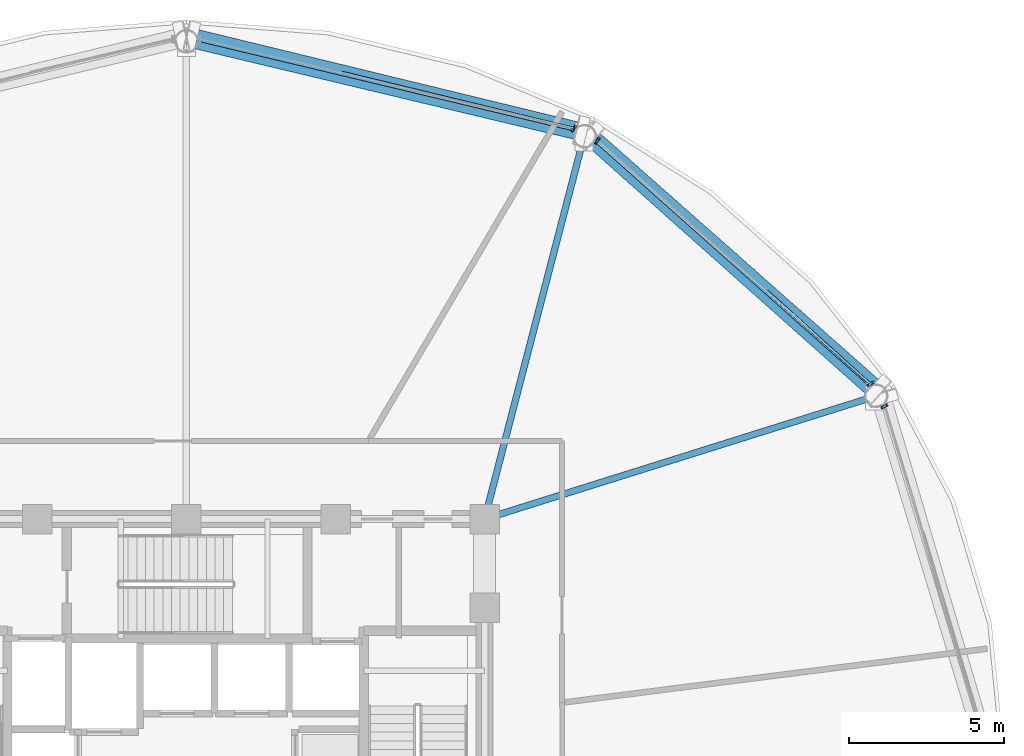
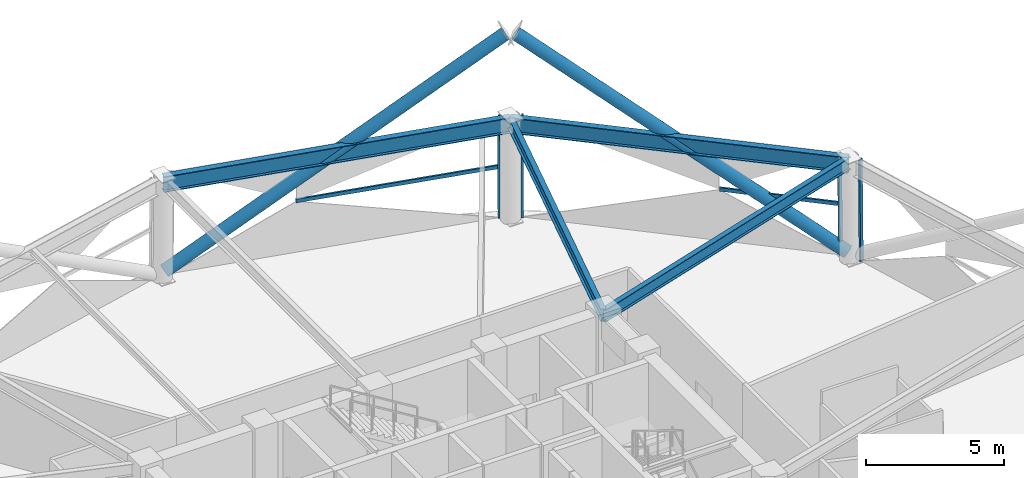
# One storey, part 7 of 17: 8 members, 4 beams, 3 elements without a shape of their own.
"""IFC4 building model written with IfcOpenShell, lengths in metres."""

from ifc_helpers import new_model, si_unit, direction, frame, origin, origin_2d, place, context, subcontext, project, spatial, hollow_rectangle, hollow_circle, i_section, extrude, material, layer, layer_set, material_profile, profile_set, type_object, element, aggregate, save


model = new_model("IFC4")

# Units and contexts
model_context = context("Model", 3, precision=1e-05, world=origin(), true_north=direction((0.0, 1.0)))
body_context = subcontext(model_context, "Body", "Model", "MODEL_VIEW")
ifc_project = project(units=[si_unit("LENGTHUNIT", "METRE"), si_unit("AREAUNIT", "SQUARE_METRE"), si_unit("VOLUMEUNIT", "CUBIC_METRE"), si_unit("PLANEANGLEUNIT", "RADIAN"), si_unit("MASSUNIT", "GRAM", prefix="KILO")], contexts=[model_context])

# Site, building, storey
site_placement = place(None, origin())
site = spatial("IfcSite", under=ifc_project, at=site_placement, CompositionType="ELEMENT")
building_placement = place(site_placement, origin())
building = spatial("IfcBuilding", under=site, at=building_placement, Name="Vantalir Tower", CompositionType="ELEMENT")
storey_placement = place(building_placement, frame((0.0, 0.0, 96.14990234375)))
storey = spatial("IfcBuildingStorey", under=building, at=storey_placement, Name="L23", CompositionType="ELEMENT", Elevation=96.14990234375)

# Beams
ifc_material_1 = material(Name="Steel S355", Category="steel")
ifc_material_profile_1 = material_profile(ifc_material_1, i_section(OverallWidth=0.2109375, OverallDepth=0.5390625, WebThickness=0.01171875, FlangeThickness=0.018798828125, at=origin_2d()), Name="Steel S355")
ifc_profile_set_1 = profile_set([ifc_material_profile_1], Name="Steel S355")
beam_type_1 = type_object("IfcBeamType", Name="BM-RB-533x210", PredefinedType="BEAM", material=ifc_profile_set_1)
beam_1_placement = place(storey_placement, frame((53.659912109375, 36.39404296875, 4.35009765625), z_axis=(-0.954064922814, -0.299599938343, 0.0), x_axis=(0.299599938343, -0.954064922814, 0.0)))
element("IfcBeam", 1, at=beam_1_placement, inside=storey, type_object=beam_type_1, Name="L23 Radial Floor Beam 02", PredefinedType="BEAM", context=body_context, shape_type="SweptSolid", body=[
    extrude(i_section(OverallWidth=0.2109375, OverallDepth=0.5390625, WebThickness=0.01171875, FlangeThickness=0.018798828125, at=origin_2d()), origin(), (0.0, 0.0, 1.0), 13.16455078125),
])
beam_2_placement = place(storey_placement, frame((44.2939453125, 44.735107421875, 4.35009765625), z_axis=(-0.251612232967, -0.967828127418, 0.0), x_axis=(0.967828127418, -0.251612232967, 0.0)))
element("IfcBeam", 2, at=beam_2_placement, inside=storey, type_object=beam_type_1, Name="L23 Radial Floor Beam 03", PredefinedType="BEAM", context=body_context, shape_type="SweptSolid", body=[
    extrude(i_section(OverallWidth=0.2109375, OverallDepth=0.5390625, WebThickness=0.01171875, FlangeThickness=0.018798828125, at=origin_2d()), origin(), (0.0, 0.0, 1.0), 12.693603515625),
])
ifc_material_2 = material(Name="Steel S460", Category="steel")
ifc_material_profile_2 = material_profile(ifc_material_2, i_section(OverallWidth=0.256103515625, OverallDepth=0.693115234375, WebThickness=0.014404296875, FlangeThickness=0.023681640625, at=origin_2d()), Name="Steel S460")
ifc_profile_set_2 = profile_set([ifc_material_profile_2], Name="Steel S460")
beam_type_2 = type_object("IfcBeamType", Name="BM-RG-686x254", PredefinedType="USERDEFINED", material=ifc_profile_set_2)
beam_3_placement = place(storey_placement, frame((53.659912109375, 36.39404296875, 4.273193359375), z_axis=(-0.746784993974, 0.665065540211, 0.0), x_axis=(-0.665065540211, -0.746784993974, 0.0)))
element("IfcBeam", 3, at=beam_3_placement, inside=storey, type_object=beam_type_2, Name="L23 Circumferential Ring Girder 02", ObjectType="GIRDER", PredefinedType="USERDEFINED", context=body_context, shape_type="SweptSolid", body=[
    extrude(i_section(OverallWidth=0.256103515625, OverallDepth=0.693115234375, WebThickness=0.014404296875, FlangeThickness=0.023681640625, at=origin_2d()), origin(), (0.0, 0.0, 1.0), 12.541748046875),
])
beam_4_placement = place(storey_placement, frame((44.2939453125, 44.735107421875, 4.273193359375), z_axis=(-0.972689585219, 0.232109824883, 0.0), x_axis=(-0.232109824883, -0.972689585219, 0.0)))
element("IfcBeam", 4, at=beam_4_placement, inside=storey, type_object=beam_type_2, Name="L23 Circumferential Ring Girder 03", ObjectType="GIRDER", PredefinedType="USERDEFINED", context=body_context, shape_type="SweptSolid", body=[
    extrude(i_section(OverallWidth=0.256103515625, OverallDepth=0.693115234375, WebThickness=0.014404296875, FlangeThickness=0.023681640625, at=origin_2d()), origin(), (0.0, 0.0, 1.0), 13.153076171875),
])

# Curtain wall, member
ifc_material_3 = material(Name="Champagne-silver PVDF aluminium and double-silver Low-E glass", Category="aluminium")
ifc_layer = layer(ifc_material_3, 0.22998046875)
ifc_layer_set = layer_set([ifc_layer], Name="Champagne-silver PVDF aluminium and double-silver Low-E glass")
curtain_wall_type = type_object("IfcCurtainWallType", Name="CW-SKYLOBBY", PredefinedType="USERDEFINED", material=ifc_layer_set)
curtain_wall_1_placement = place(storey_placement, origin())
curtain_wall_1 = element("IfcCurtainWall", 5, at=curtain_wall_1_placement, inside=storey, type_object=curtain_wall_type, Name="L23 Quilted Pyramid-Diamond Curtain Wall S01", ObjectType="UNITISED CURTAIN WALL", PredefinedType="USERDEFINED")
ifc_material_4 = material(Name="Champagne-silver PVDF aluminium 6063-T6", Category="aluminium")
ifc_material_profile_3 = material_profile(ifc_material_4, hollow_rectangle(XDim=0.074951171875, YDim=0.179931640625, WallThickness=0.00390625, at=origin_2d()), Name="Champagne-silver PVDF aluminium 6063-T6")
ifc_profile_set_3 = profile_set([ifc_material_profile_3], Name="Champagne-silver PVDF aluminium 6063-T6")
member_type_1 = type_object("IfcMemberType", Name="CWM-180x75", PredefinedType="MULLION", material=ifc_profile_set_3)
member_1_placement = place(storey_placement, frame((54.0048828125, 36.094970703125, 0.045166015625), z_axis=(-0.011909482266, -0.005927796603, 0.999911508814), x_axis=(0.445592525197, -0.895235891533, 0.0)))
member_1 = element("IfcMember", 6, at=member_1_placement, type_object=member_type_1, Name="CW-L23-S01 Mullion 2", PredefinedType="MULLION", context=body_context, shape_type="SweptSolid", body=[
    extrude(hollow_rectangle(XDim=0.074951171875, YDim=0.179931640625, WallThickness=0.00390625, at=origin_2d()), origin(), (0.0, 0.0, 1.0), 4.530517578125),
])
aggregate(curtain_wall_1, [member_1])

# Curtain wall, members
curtain_wall_2_placement = place(storey_placement, origin())
curtain_wall_2 = element("IfcCurtainWall", 7, at=curtain_wall_2_placement, inside=storey, type_object=curtain_wall_type, Name="L23 Quilted Pyramid-Diamond Curtain Wall S02", ObjectType="UNITISED CURTAIN WALL", PredefinedType="USERDEFINED")
member_2_placement = place(storey_placement, frame((53.550048828125, 36.80908203125, 0.045166015625), z_axis=(-0.011909478444, -0.005981683744, 0.999911187948), x_axis=(0.448830270685, -0.893617025418, 0.0)))
member_2 = element("IfcMember", 8, at=member_2_placement, type_object=member_type_1, Name="CW-L23-S02 Mullion 1", PredefinedType="MULLION", context=body_context, shape_type="SweptSolid", body=[
    extrude(hollow_rectangle(XDim=0.074951171875, YDim=0.179931640625, WallThickness=0.00390625, at=origin_2d()), origin(), (0.0, 0.0, 1.0), 4.530517578125),
])
member_3_placement = place(storey_placement, frame((44.748046875, 44.654052734375, 0.045166015625), z_axis=(-0.006843985782, -0.010400702802, 0.999922489616), x_axis=(0.835364778861, -0.54969599438, 0.0)))
member_3 = element("IfcMember", 9, at=member_3_placement, type_object=member_type_1, Name="CW-L23-S02 Mullion 2", PredefinedType="MULLION", context=body_context, shape_type="SweptSolid", body=[
    extrude(hollow_rectangle(XDim=0.074951171875, YDim=0.179931640625, WallThickness=0.00390625, at=origin_2d()), origin(), (0.0, 0.0, 1.0), 4.5302734375),
])

# Curtain wall, member
curtain_wall_3_placement = place(storey_placement, origin())
curtain_wall_3 = element("IfcCurtainWall", 10, at=curtain_wall_3_placement, inside=storey, type_object=curtain_wall_type, Name="L23 Quilted Pyramid-Diamond Curtain Wall S03", ObjectType="UNITISED CURTAIN WALL", PredefinedType="USERDEFINED")
member_4_placement = place(storey_placement, frame((43.991943359375, 45.049072265625, 0.045166015625), z_axis=(-0.006843985782, -0.010400702802, 0.999922489616), x_axis=(0.835364778861, -0.54969599438, 0.0)))
member_4 = element("IfcMember", 11, at=member_4_placement, type_object=member_type_1, Name="CW-L23-S03 Mullion 1", PredefinedType="MULLION", context=body_context, shape_type="SweptSolid", body=[
    extrude(hollow_rectangle(XDim=0.074951171875, YDim=0.179931640625, WallThickness=0.00390625, at=origin_2d()), origin(), (0.0, 0.0, 1.0), 4.5302734375),
])

# Member
ifc_material_profile_4 = material_profile(ifc_material_4, hollow_rectangle(XDim=0.074951171875, YDim=0.159912109375, WallThickness=0.00390625, at=origin_2d()), Name="Champagne-silver PVDF aluminium 6063-T6")
ifc_profile_set_4 = profile_set([ifc_material_profile_4], Name="Champagne-silver PVDF aluminium 6063-T6")
member_type_2 = type_object("IfcMemberType", Name="CWT-160x75", PredefinedType="USERDEFINED", material=ifc_profile_set_4)
member_5_placement = place(storey_placement, frame((53.52294921875, 36.794921875, 2.31005859375), z_axis=(-0.742922097782, 0.669377887764, 0.0), x_axis=(-0.669377887764, -0.742922097782, 0.0)))
member_5 = element("IfcMember", 12, at=member_5_placement, type_object=member_type_2, Name="CW-L23-S02 Pyramid Fold Ridge Transom", ObjectType="TRANSOM", PredefinedType="USERDEFINED", context=body_context, shape_type="SweptSolid", body=[
    extrude(hollow_rectangle(XDim=0.074951171875, YDim=0.159912109375, WallThickness=0.00390625, at=origin_2d()), origin(), (0.0, 0.0, 1.0), 4.4716796875),
])

aggregate(curtain_wall_2, [member_2, member_3, member_5])

member_6_placement = place(storey_placement, frame((43.97705078125, 45.02587890625, 2.31005859375), z_axis=(-0.971927244694, 0.235281599412, 0.0), x_axis=(-0.235281599412, -0.971927244694, 0.0)))
member_6 = element("IfcMember", 13, at=member_6_placement, type_object=member_type_2, Name="CW-L23-S03 Pyramid Fold Ridge Transom", ObjectType="TRANSOM", PredefinedType="USERDEFINED", context=body_context, shape_type="SweptSolid", body=[
    extrude(hollow_rectangle(XDim=0.074951171875, YDim=0.159912109375, WallThickness=0.00390625, at=origin_2d()), origin(), (0.0, 0.0, 1.0), 7.6806640625),
])

aggregate(curtain_wall_3, [member_4, member_6])

# Members
ifc_material_profile_5 = material_profile(ifc_material_2, hollow_circle(Radius=0.260009765625, WallThickness=0.0380859375, at=origin_2d()), Name="Steel S460")
ifc_profile_set_5 = profile_set([ifc_material_profile_5], Name="Steel S460")
member_type_3 = type_object("IfcMemberType", Name="MEM-DB-520x38", PredefinedType="BRACE", material=ifc_profile_set_5)
member_7_placement = place(storey_placement, frame((53.739990234375, 36.637939453125, 0.2001953125), z_axis=(-0.628811889608, 0.555592697246, 0.543978273697), x_axis=(-0.662129853125, -0.749389122953, 0.0)))
element("IfcMember", 14, at=member_7_placement, inside=storey, type_object=member_type_3, Name="L23 Perimeter S460 Diagrid Brace R04L", PredefinedType="BRACE", context=body_context, shape_type="SweptSolid", body=[
    extrude(hollow_circle(Radius=0.260009765625, WallThickness=0.0380859375, at=origin_2d()), origin(), (0.0, 0.0, 1.0), 14.6513671875),
])
member_8_placement = place(storey_placement, frame((31.681884765625, 47.989013671875, 0.196044921875), z_axis=(0.826243440353, -0.200863656864, 0.526284684012), x_axis=(0.236224467556, 0.971698513392, 0.0)))
element("IfcMember", 15, at=member_8_placement, inside=storey, type_object=member_type_3, Name="L23 Perimeter S460 Diagrid Brace R10R", PredefinedType="BRACE", context=body_context, shape_type="SweptSolid", body=[
    extrude(hollow_circle(Radius=0.260009765625, WallThickness=0.0380859375, at=origin_2d()), origin(), (0.0, 0.0, 1.0), 15.1591796875),
])

save(model, "model.ifc")
